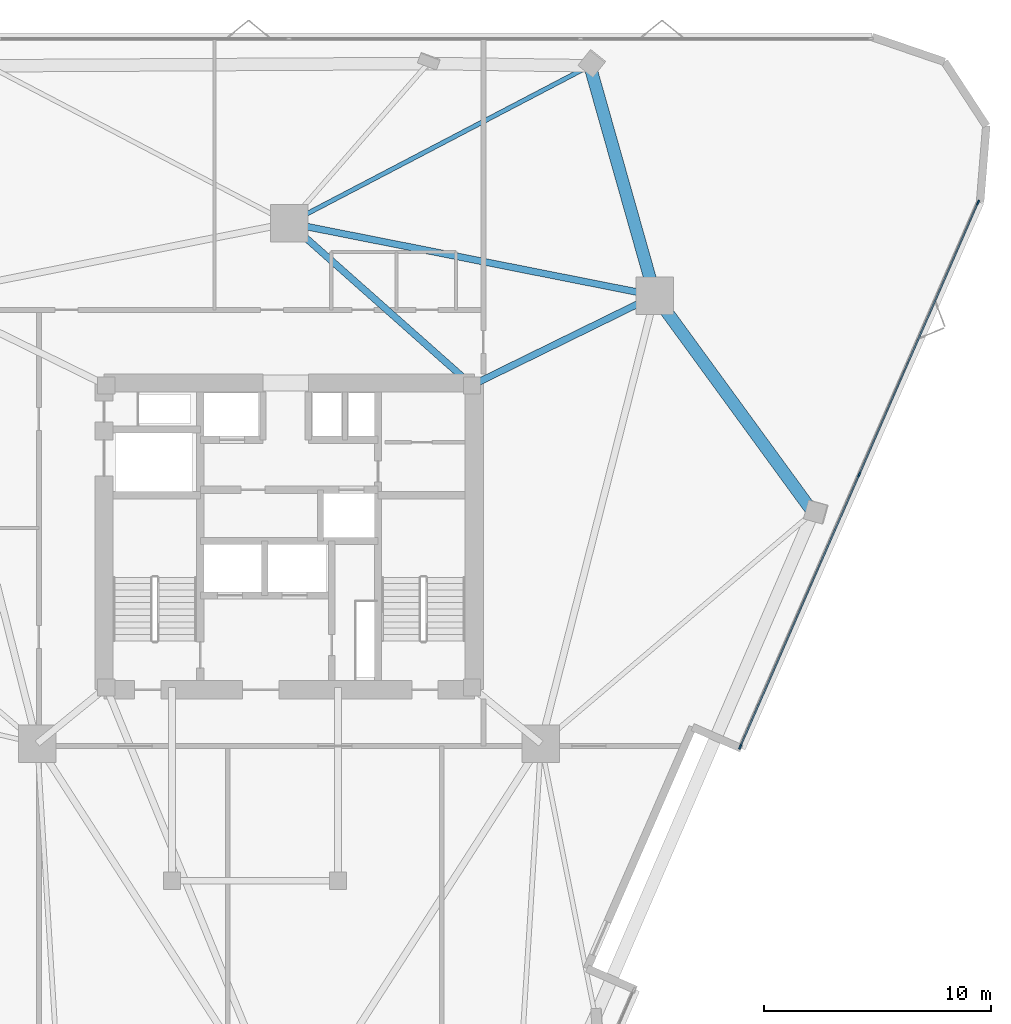
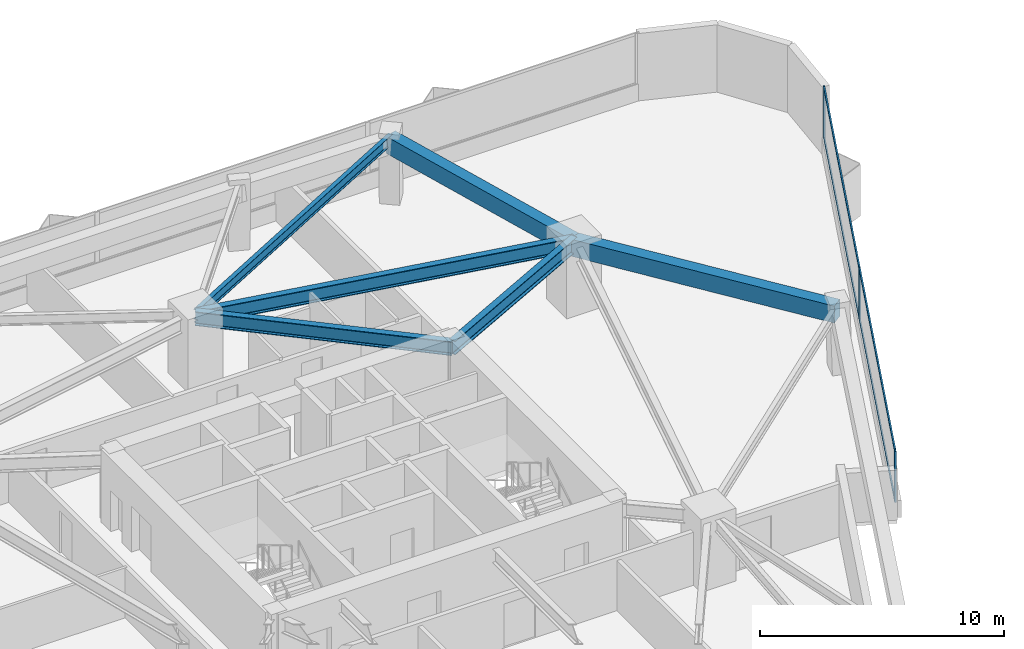
# One storey, part 6 of 13: 7 members, 6 beams, 1 element without a shape of its own.
"""IFC4 building model written with IfcOpenShell, lengths in metres."""

from ifc_helpers import new_model, si_unit, direction, frame, origin, origin_2d, place, context, subcontext, project, spatial, rectangle, i_section, extrude, material, layer, layer_set, material_profile, profile_set, type_object, element, aggregate, save


model = new_model("IFC4")

# Units and contexts
model_context = context("Model", 3, precision=1e-05, world=origin(), true_north=direction((0.0, 1.0)))
body_context = subcontext(model_context, "Body", "Model", "MODEL_VIEW")
ifc_project = project(units=[si_unit("LENGTHUNIT", "METRE"), si_unit("AREAUNIT", "SQUARE_METRE"), si_unit("VOLUMEUNIT", "CUBIC_METRE"), si_unit("PLANEANGLEUNIT", "RADIAN"), si_unit("MASSUNIT", "GRAM", prefix="KILO")], contexts=[model_context])

# Site, building, storey
site_placement = place(None, origin())
site = spatial("IfcSite", under=ifc_project, at=site_placement, CompositionType="ELEMENT")
building_placement = place(site_placement, origin())
building = spatial("IfcBuilding", under=site, at=building_placement, Name="Talyreon Biosciences Tower", CompositionType="ELEMENT")
storey_placement = place(building_placement, frame((0.0, 0.0, 104.199951171875)))
storey = spatial("IfcBuildingStorey", under=building, at=storey_placement, Name="L27", CompositionType="ELEMENT", Elevation=104.199951171875)

# Curtain wall, members
ifc_material_1 = material(Name="Thermally broken aluminium and low-E glazing", Category="aluminium")
ifc_layer = layer(ifc_material_1, 0.205078125)
ifc_layer_set = layer_set([ifc_layer], Name="Thermally broken aluminium and low-E glazing")
curtain_wall_type = type_object("IfcCurtainWallType", Name="CurtainWall_SkyGardenLoggia", PredefinedType="NOTDEFINED", material=ifc_layer_set)
curtain_wall_placement = place(storey_placement, origin())
curtain_wall = element("IfcCurtainWall", 1, at=curtain_wall_placement, inside=storey, type_object=curtain_wall_type, Name="L27 Unitised Curtain Wall FCW-L27-07", PredefinedType="NOTDEFINED")
ifc_material_2 = material(Name="Anodised thermally broken aluminium", Category="aluminium")
ifc_material_profile_1 = material_profile(ifc_material_2, rectangle(XDim=0.074951171875, YDim=0.2099609375, at=origin_2d()), Name="ALUM MULLION 75x210")
ifc_profile_set_1 = profile_set([ifc_material_profile_1], Name="Anodised thermally broken aluminium")
member_type_1 = type_object("IfcMemberType", Name="CWMullion_75x210", PredefinedType="MULLION", material=ifc_profile_set_1)
member_1_placement = place(storey_placement, frame((96.33056640625, 82.7021484375, 0.81005859375), z_axis=(0.0, 0.0, 1.0), x_axis=(0.916346971051, -0.40038510043, 0.0)))
member_1 = element("IfcMember", 2, at=member_1_placement, type_object=member_type_1, Name="CW7 mullion 1", PredefinedType="MULLION", context=body_context, shape_type="SweptSolid", body=[
    extrude(rectangle(XDim=0.074951171875, YDim=0.2099609375, at=origin_2d()), origin(), (0.0, 0.0, 1.0), 2.56494140625),
])
member_2_placement = place(storey_placement, frame((91.09326171875, 70.7158203125, 0.81005859375), z_axis=(0.0, 0.0, 1.0), x_axis=(0.916346971051, -0.40038510043, 0.0)))
member_2 = element("IfcMember", 3, at=member_2_placement, type_object=member_type_1, Name="CW7 mullion 2", PredefinedType="MULLION", context=body_context, shape_type="SweptSolid", body=[
    extrude(rectangle(XDim=0.074951171875, YDim=0.2099609375, at=origin_2d()), origin(), (0.0, 0.0, 1.0), 2.56494140625),
])
member_3_placement = place(storey_placement, frame((85.85595703125, 58.7294921875, 0.81005859375), z_axis=(0.0, 0.0, 1.0), x_axis=(0.916346971051, -0.40038510043, 0.0)))
member_3 = element("IfcMember", 4, at=member_3_placement, type_object=member_type_1, Name="CW7 mullion 3", PredefinedType="MULLION", context=body_context, shape_type="SweptSolid", body=[
    extrude(rectangle(XDim=0.074951171875, YDim=0.2099609375, at=origin_2d()), origin(), (0.0, 0.0, 1.0), 2.56494140625),
])
ifc_material_profile_2 = material_profile(ifc_material_2, rectangle(XDim=0.06494140625, YDim=0.139892578125, at=origin_2d()), Name="ALUM TRANSOM 65x140")
ifc_profile_set_2 = profile_set([ifc_material_profile_2], Name="Anodised thermally broken aluminium")
member_type_2 = type_object("IfcMemberType", Name="CWTransom_65x140", PredefinedType="USERDEFINED", material=ifc_profile_set_2)
member_4_placement = place(storey_placement, frame((96.3154296875, 82.66796875, 0.842529296875), z_axis=(-0.400384513309, -0.916347227585, 0.0), x_axis=(0.916347227585, -0.400384513309, 0.0)))
member_4 = element("IfcMember", 5, at=member_4_placement, type_object=member_type_2, Name="CW7 transom 1.1", ObjectType="TRANSOM", PredefinedType="USERDEFINED", context=body_context, shape_type="SweptSolid", body=[
    extrude(rectangle(XDim=0.06494140625, YDim=0.139892578125, at=origin_2d()), origin(), (0.0, 0.0, 1.0), 13.005615234375),
])
member_5_placement = place(storey_placement, frame((96.3154296875, 82.66796875, 3.342529296875), z_axis=(-0.400384513309, -0.916347227585, 0.0), x_axis=(0.916347227585, -0.400384513309, 0.0)))
member_5 = element("IfcMember", 6, at=member_5_placement, type_object=member_type_2, Name="CW7 transom 1.2", ObjectType="TRANSOM", PredefinedType="USERDEFINED", context=body_context, shape_type="SweptSolid", body=[
    extrude(rectangle(XDim=0.06494140625, YDim=0.139892578125, at=origin_2d()), origin(), (0.0, 0.0, 1.0), 13.005615234375),
])
member_6_placement = place(storey_placement, frame((91.078125, 70.681396484375, 0.842529296875), z_axis=(-0.400391400638, -0.916344218236, 0.0), x_axis=(0.916344218236, -0.400391400638, 0.0)))
member_6 = element("IfcMember", 7, at=member_6_placement, type_object=member_type_2, Name="CW7 transom 2.1", ObjectType="TRANSOM", PredefinedType="USERDEFINED", context=body_context, shape_type="SweptSolid", body=[
    extrude(rectangle(XDim=0.06494140625, YDim=0.139892578125, at=origin_2d()), origin(), (0.0, 0.0, 1.0), 13.00537109375),
])
member_7_placement = place(storey_placement, frame((91.078125, 70.681396484375, 3.342529296875), z_axis=(-0.400391400638, -0.916344218236, 0.0), x_axis=(0.916344218236, -0.400391400638, 0.0)))
member_7 = element("IfcMember", 8, at=member_7_placement, type_object=member_type_2, Name="CW7 transom 2.2", ObjectType="TRANSOM", PredefinedType="USERDEFINED", context=body_context, shape_type="SweptSolid", body=[
    extrude(rectangle(XDim=0.06494140625, YDim=0.139892578125, at=origin_2d()), origin(), (0.0, 0.0, 1.0), 13.00537109375),
])
aggregate(curtain_wall, [member_1, member_2, member_3, member_4, member_5, member_6, member_7])

# Beams
ifc_material_3 = material(Name="Precast concrete C45/55", Category="concrete")
ifc_material_profile_3 = material_profile(ifc_material_3, rectangle(XDim=0.550048828125, YDim=0.85009765625, at=origin_2d()), Name="RCB 550x850")
ifc_profile_set_3 = profile_set([ifc_material_profile_3], Name="Precast concrete C45/55")
beam_type_1 = type_object("IfcBeamType", Name="ExpressedSpandrel_550x850", PredefinedType="SPANDREL", material=ifc_profile_set_3)
beam_1_placement = place(storey_placement, frame((89.06494140625, 69.053466796875, 2.949951171875), z_axis=(-0.589317457799, 0.807901562032, 0.0), x_axis=(-0.807901562032, -0.589317457799, 0.0)))
element("IfcBeam", 9, at=beam_1_placement, inside=storey, type_object=beam_type_1, Name="L27 Expressed Horizontal Concrete Spandrel 04", PredefinedType="SPANDREL", context=body_context, shape_type="SweptSolid", body=[
    extrude(rectangle(XDim=0.550048828125, YDim=0.85009765625, at=origin_2d()), origin(), (0.0, 0.0, 1.0), 11.814697265625),
])
beam_2_placement = place(storey_placement, frame((82.102294921875, 78.5986328125, 2.949951171875), z_axis=(-0.272094457055, 0.962270547424, 0.0), x_axis=(-0.962270547424, -0.272094457055, 0.0)))
element("IfcBeam", 10, at=beam_2_placement, inside=storey, type_object=beam_type_1, Name="L27 Expressed Horizontal Concrete Spandrel 05", PredefinedType="SPANDREL", context=body_context, shape_type="SweptSolid", body=[
    extrude(rectangle(XDim=0.550048828125, YDim=0.85009765625, at=origin_2d()), origin(), (0.0, 0.0, 1.0), 10.512451171875),
])
ifc_material_4 = material(Name="Steel SM355", Category="steel")
ifc_material_profile_4 = material_profile(ifc_material_4, i_section(OverallWidth=0.300048828125, OverallDepth=0.699951171875, WebThickness=0.01708984375, FlangeThickness=0.031982421875, FilletRadius=0.027099609375, at=origin_2d()), Name="HE700B")
ifc_profile_set_4 = profile_set([ifc_material_profile_4], Name="Steel SM355")
beam_type_2 = type_object("IfcBeamType", Name="SteelGirder_HE700B", PredefinedType="BEAM", material=ifc_profile_set_4)
beam_3_placement = place(storey_placement, frame((82.102294921875, 78.5986328125, 3.025146484375), z_axis=(-0.980933730698, 0.194342522311, 0.0), x_axis=(-0.194342522311, -0.980933730698, 0.0)))
element("IfcBeam", 11, at=beam_3_placement, inside=storey, type_object=beam_type_2, Name="L27 Mega-Ring Girder 3", PredefinedType="BEAM", context=body_context, shape_type="SweptSolid", body=[
    extrude(i_section(OverallWidth=0.300048828125, OverallDepth=0.699951171875, WebThickness=0.01708984375, FlangeThickness=0.031982421875, FilletRadius=0.027099609375, at=origin_2d()), origin(), (0.0, 0.0, 1.0), 16.415283203125),
])
beam_4_placement = place(storey_placement, frame((74.050048828125, 74.64990234375, 3.025146484375), z_axis=(0.897852360314, 0.440296648952, 0.0), x_axis=(-0.440296648952, 0.897852360314, 0.0)))
element("IfcBeam", 12, at=beam_4_placement, inside=storey, type_object=beam_type_2, Name="L27 Radial Primary Girder 3", PredefinedType="BEAM", context=body_context, shape_type="SweptSolid", body=[
    extrude(i_section(OverallWidth=0.300048828125, OverallDepth=0.699951171875, WebThickness=0.01708984375, FlangeThickness=0.031982421875, FilletRadius=0.027099609375, at=origin_2d()), origin(), (0.0, 0.0, 1.0), 8.96826171875),
])
beam_5_placement = place(storey_placement, frame((74.050048828125, 74.64990234375, 3.025146484375), z_axis=(-0.748178733955, 0.663497235908, 0.0), x_axis=(-0.663497235908, -0.748178733955, 0.0)))
element("IfcBeam", 13, at=beam_5_placement, inside=storey, type_object=beam_type_2, Name="L27 Radial Primary Girder 4", PredefinedType="BEAM", context=body_context, shape_type="SweptSolid", body=[
    extrude(i_section(OverallWidth=0.300048828125, OverallDepth=0.699951171875, WebThickness=0.01708984375, FlangeThickness=0.031982421875, FilletRadius=0.027099609375, at=origin_2d()), origin(), (0.0, 0.0, 1.0), 10.759521484375),
])
ifc_material_profile_5 = material_profile(ifc_material_4, i_section(OverallWidth=0.199951171875, OverallDepth=0.5, WebThickness=0.01025390625, FlangeThickness=0.01611328125, FilletRadius=0.02099609375, at=origin_2d()), Name="IPE500")
ifc_profile_set_5 = profile_set([ifc_material_profile_5], Name="Steel SM355")
beam_type_3 = type_object("IfcBeamType", Name="SteelJoist_IPE500", PredefinedType="JOIST", material=ifc_profile_set_5)
beam_6_placement = place(storey_placement, frame((66.0, 81.788818359375, 3.125), z_axis=(0.886126186132, 0.463444044359, 0.0), x_axis=(-0.463444044359, 0.886126186132, 0.0)))
element("IfcBeam", 14, at=beam_6_placement, inside=storey, type_object=beam_type_3, Name="L27 Radial Composite Floor Joist PC-N1", PredefinedType="JOIST", context=body_context, shape_type="SweptSolid", body=[
    extrude(i_section(OverallWidth=0.199951171875, OverallDepth=0.5, WebThickness=0.01025390625, FlangeThickness=0.01611328125, FilletRadius=0.02099609375, at=origin_2d()), origin(), (0.0, 0.0, 1.0), 14.943603515625),
])

save(model, "model.ifc")
